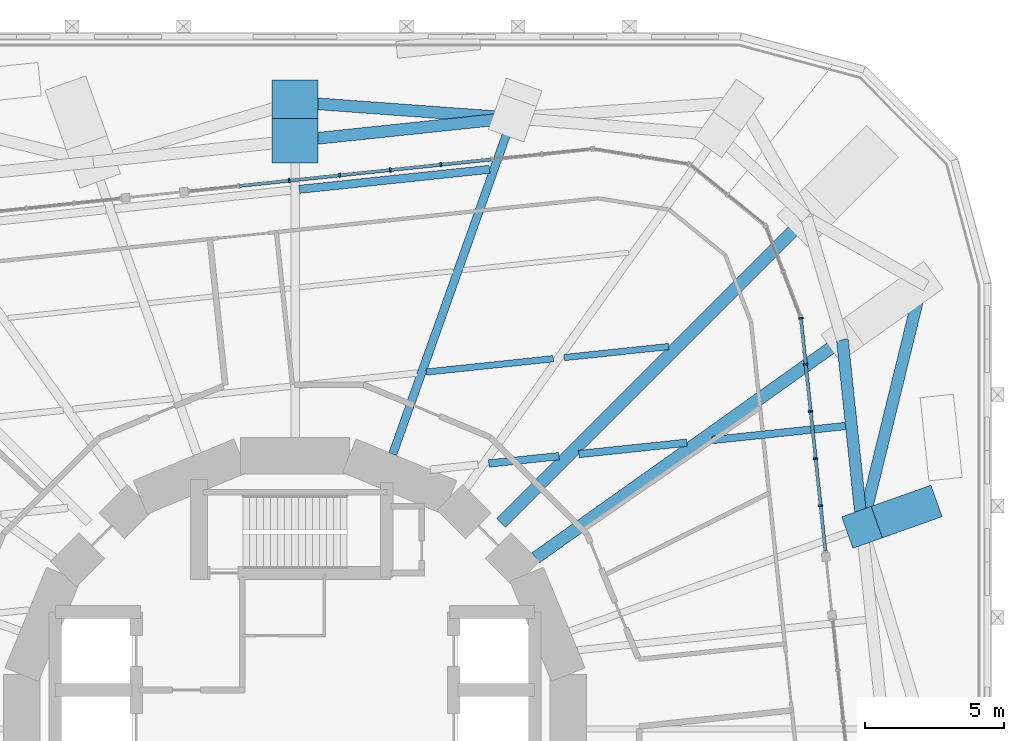
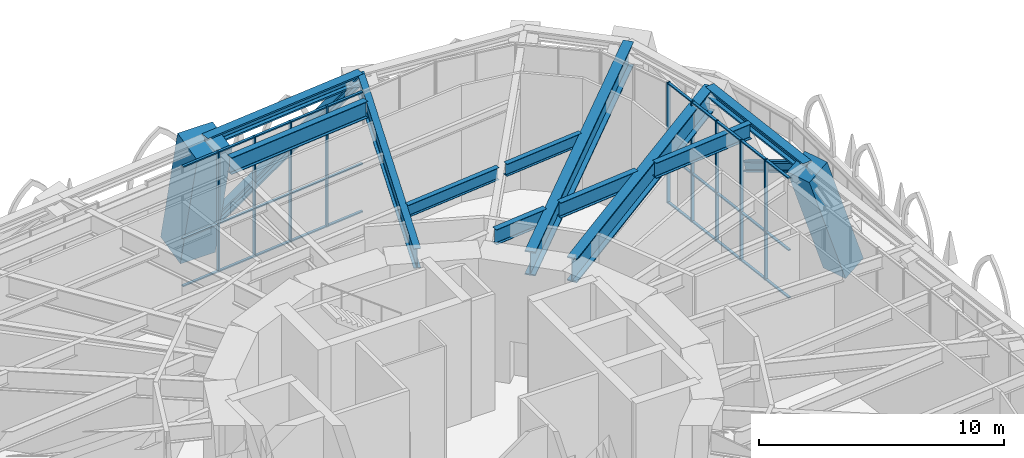
# One storey, part 10 of 20: 45 members, 9 beams, 2 elements without a shape of their own.
"""IFC4 building model written with IfcOpenShell, lengths in metres."""

from ifc_helpers import new_model, si_unit, direction, frame, origin, origin_2d, place, context, subcontext, project, spatial, rectangle, i_section, extrude, material, material_profile, profile_set, type_object, element, aggregate, save


model = new_model("IFC4")

# Units and contexts
model_context = context("Model", 3, precision=1e-05, world=origin(), true_north=direction((0.0, 1.0)))
body_context = subcontext(model_context, "Body", "Model", "MODEL_VIEW")
ifc_project = project(units=[si_unit("LENGTHUNIT", "METRE"), si_unit("AREAUNIT", "SQUARE_METRE"), si_unit("VOLUMEUNIT", "CUBIC_METRE"), si_unit("PLANEANGLEUNIT", "RADIAN"), si_unit("MASSUNIT", "GRAM", prefix="KILO")], contexts=[model_context])

# Site, building, storey
site_placement = place(None, origin())
site = spatial("IfcSite", under=ifc_project, at=site_placement, CompositionType="ELEMENT")
building_placement = place(site_placement, origin())
building = spatial("IfcBuilding", under=site, at=building_placement, Name="Nakasero Lantern House", CompositionType="ELEMENT")
storey_placement = place(building_placement, frame((0.0, 0.0, 54.5)))
storey = spatial("IfcBuildingStorey", under=building, at=storey_placement, Name="L13", CompositionType="ELEMENT", Elevation=54.5)

# Members
ifc_material_1 = material(Name="Steel S355", Category="steel")
ifc_material_profile_1 = material_profile(ifc_material_1, i_section(OverallWidth=0.424072265625, OverallDepth=0.474609375, WebThickness=0.047607421875, FlangeThickness=0.076904296875, FilletRadius=0.01513671875, at=origin_2d()), Name="UC 356x406x634")
ifc_profile_set_1 = profile_set([ifc_material_profile_1], Name="Steel S355")
member_type_1 = type_object("IfcMemberType", Name="Belt truss chord UC 356x406x634", PredefinedType="CHORD", material=ifc_profile_set_1)
member_1_placement = place(storey_placement, frame((20.35498046875, 7.2373046875, 5.562744140625), z_axis=(-0.10452524939, 0.994522233155, 0.0), x_axis=(-0.994522233155, -0.10452524939, 0.0)))
element("IfcMember", 1, at=member_1_placement, inside=storey, type_object=member_type_1, Name="Belt truss top chord T1 B2-C04T", PredefinedType="CHORD", context=body_context, shape_type="SweptSolid", body=[
    extrude(i_section(OverallWidth=0.424072265625, OverallDepth=0.474609375, WebThickness=0.047607421875, FlangeThickness=0.076904296875, FilletRadius=0.01513671875, at=origin_2d()), origin(), (0.0, 0.0, 1.0), 6.771240234375),
])
member_2_placement = place(storey_placement, frame((7.79931640625, 21.935302734375, 5.562744140625), z_axis=(-0.994524030789, -0.104508144098, 0.0), x_axis=(0.104508144098, -0.994524030789, 0.0)))
element("IfcMember", 2, at=member_2_placement, inside=storey, type_object=member_type_1, Name="Belt truss top chord T1 B2-C08T", PredefinedType="CHORD", context=body_context, shape_type="SweptSolid", body=[
    extrude(i_section(OverallWidth=0.424072265625, OverallDepth=0.474609375, WebThickness=0.047607421875, FlangeThickness=0.076904296875, FilletRadius=0.01513671875, at=origin_2d()), origin(), (0.0, 0.0, 1.0), 7.84228515625),
])
ifc_material_2 = material(Name="Steel S355", Category="steel")
ifc_material_profile_2 = material_profile(ifc_material_2, i_section(OverallWidth=0.424072265625, OverallDepth=0.474609375, WebThickness=0.047607421875, FlangeThickness=0.076904296875, FilletRadius=0.01513671875, at=origin_2d()), Name="UC 356x406x634")
ifc_profile_set_2 = profile_set([ifc_material_profile_2], Name="Steel S355")
member_type_2 = type_object("IfcMemberType", Name="Belt truss diagonal UC 356x406x634", PredefinedType="BRACE", material=ifc_profile_set_2)
member_3_placement = place(storey_placement, frame((20.35498046875, 7.2373046875, 5.562744140625), z_axis=(0.197980863346, 0.808778641842, -0.553787582244), x_axis=(-0.971321551042, 0.237769729952, 0.0)))
element("IfcMember", 3, at=member_3_placement, inside=storey, type_object=member_type_2, Name="Belt truss diagonal T1-04", PredefinedType="BRACE", context=body_context, shape_type="SweptSolid", body=[
    extrude(i_section(OverallWidth=0.424072265625, OverallDepth=0.474609375, WebThickness=0.047607421875, FlangeThickness=0.076904296875, FilletRadius=0.01513671875, at=origin_2d()), origin(), (0.0, 0.0, 1.0), 10.83447265625),
])
member_4_placement = place(storey_placement, frame((7.79931640625, 21.935302734375, 5.562744140625), z_axis=(-0.791296266905, 0.057292564495, -0.608742786435), x_axis=(-0.072214395008, -0.997389132262, 0.0)))
element("IfcMember", 4, at=member_4_placement, inside=storey, type_object=member_type_2, Name="Belt truss diagonal T1-08", PredefinedType="BRACE", context=body_context, shape_type="SweptSolid", body=[
    extrude(i_section(OverallWidth=0.424072265625, OverallDepth=0.474609375, WebThickness=0.047607421875, FlangeThickness=0.076904296875, FilletRadius=0.01513671875, at=origin_2d()), origin(), (0.0, 0.0, 1.0), 9.8564453125),
])

# Beams
ifc_material_3 = material(Name="Steel S355", Category="steel")
ifc_material_profile_3 = material_profile(ifc_material_3, i_section(OverallWidth=0.22900390625, OverallDepth=0.6123046875, WebThickness=0.011962890625, FlangeThickness=0.01953125, FilletRadius=0.0126953125, at=origin_2d()), Name="UB 610x229x125")
ifc_profile_set_3 = profile_set([ifc_material_profile_3], Name="Steel S355")
beam_type_1 = type_object("IfcBeamType", Name="Infill beam UB 610x229x125", PredefinedType="JOIST", material=ifc_profile_set_3)
beam_1_placement = place(storey_placement, frame((4.71484375, 12.81298828125, 5.493896484375), z_axis=(0.994522952874, 0.104518401282, 0.0), x_axis=(-0.104518401282, 0.994522952874, 0.0)))
element("IfcBeam", 5, at=beam_1_placement, inside=storey, type_object=beam_type_1, Name="Infill beam L14 11.7", PredefinedType="JOIST", context=body_context, shape_type="SweptSolid", body=[
    extrude(i_section(OverallWidth=0.22900390625, OverallDepth=0.6123046875, WebThickness=0.011962890625, FlangeThickness=0.01953125, FilletRadius=0.0126953125, at=origin_2d()), origin(), (0.0, 0.0, 1.0), 4.5830078125),
])
beam_2_placement = place(storey_placement, frame((9.66064453125, 13.332763671875, 5.493896484375), z_axis=(0.994518933326, 0.104556641375, 0.0), x_axis=(-0.104556641375, 0.994518933326, 0.0)))
element("IfcBeam", 6, at=beam_2_placement, inside=storey, type_object=beam_type_1, Name="Infill beam L14 11.8", PredefinedType="JOIST", context=body_context, shape_type="SweptSolid", body=[
    extrude(i_section(OverallWidth=0.22900390625, OverallDepth=0.6123046875, WebThickness=0.011962890625, FlangeThickness=0.01953125, FilletRadius=0.0126953125, at=origin_2d()), origin(), (0.0, 0.0, 1.0), 3.768798828125),
])
ifc_material_4 = material(Name="Steel S355", Category="steel")
ifc_material_profile_4 = material_profile(ifc_material_4, i_section(OverallWidth=0.2666015625, OverallDepth=0.76220703125, WebThickness=0.014404296875, FlangeThickness=0.021484375, FilletRadius=0.0166015625, at=origin_2d()), Name="UB 762x267x173")
ifc_profile_set_4 = profile_set([ifc_material_profile_4], Name="Steel S355")
beam_type_2 = type_object("IfcBeamType", Name="Infill beam UB 762x267x173", PredefinedType="JOIST", material=ifc_profile_set_4)
beam_3_placement = place(storey_placement, frame((6.955810546875, 9.529296875, 5.4189453125), z_axis=(0.994521805438, 0.10452931889, 0.0), x_axis=(-0.10452931889, 0.994521805438, 0.0)))
element("IfcBeam", 7, at=beam_3_placement, inside=storey, type_object=beam_type_2, Name="Infill beam L14 10.5", PredefinedType="JOIST", context=body_context, shape_type="SweptSolid", body=[
    extrude(i_section(OverallWidth=0.2666015625, OverallDepth=0.76220703125, WebThickness=0.014404296875, FlangeThickness=0.021484375, FilletRadius=0.0166015625, at=origin_2d()), origin(), (0.0, 0.0, 1.0), 2.5341796875),
])
beam_4_placement = place(storey_placement, frame((10.18701171875, 9.868896484375, 5.4189453125), z_axis=(0.994518832336, 0.104557601963, 0.0), x_axis=(-0.104557601963, 0.994518832336, 0.0)))
element("IfcBeam", 8, at=beam_4_placement, inside=storey, type_object=beam_type_2, Name="Infill beam L14 10.6", PredefinedType="JOIST", context=body_context, shape_type="SweptSolid", body=[
    extrude(i_section(OverallWidth=0.2666015625, OverallDepth=0.76220703125, WebThickness=0.014404296875, FlangeThickness=0.021484375, FilletRadius=0.0166015625, at=origin_2d()), origin(), (0.0, 0.0, 1.0), 3.89697265625),
])
beam_5_placement = place(storey_placement, frame((14.973876953125, 10.3720703125, 5.4189453125), z_axis=(0.994523230839, 0.104515756327, 0.0), x_axis=(-0.104515756327, 0.994523230839, 0.0)))
element("IfcBeam", 9, at=beam_5_placement, inside=storey, type_object=beam_type_2, Name="Infill beam L14 10.7", PredefinedType="JOIST", context=body_context, shape_type="SweptSolid", body=[
    extrude(i_section(OverallWidth=0.2666015625, OverallDepth=0.76220703125, WebThickness=0.014404296875, FlangeThickness=0.021484375, FilletRadius=0.0166015625, at=origin_2d()), origin(), (0.0, 0.0, 1.0), 4.81201171875),
])
ifc_material_5 = material(Name="Steel S355", Category="steel")
ifc_material_profile_5 = material_profile(ifc_material_5, i_section(OverallWidth=0.29248046875, OverallDepth=0.8408203125, WebThickness=0.0146484375, FlangeThickness=0.02685546875, FilletRadius=0.017822265625, at=origin_2d()), Name="UB 838x292x194")
ifc_profile_set_5 = profile_set([ifc_material_profile_5], Name="Steel S355")
beam_type_3 = type_object("IfcBeamType", Name="Infill beam UB 838x292x194", PredefinedType="JOIST", material=ifc_profile_set_5)
beam_6_placement = place(storey_placement, frame((0.152587890625, 19.3720703125, 5.379638671875), z_axis=(0.994521605712, 0.104531219127, 0.0), x_axis=(-0.104531219127, 0.994521605712, 0.0)))
element("IfcBeam", 10, at=beam_6_placement, inside=storey, type_object=beam_type_3, Name="Infill beam L14 13.5", PredefinedType="JOIST", context=body_context, shape_type="SweptSolid", body=[
    extrude(i_section(OverallWidth=0.29248046875, OverallDepth=0.8408203125, WebThickness=0.0146484375, FlangeThickness=0.02685546875, FilletRadius=0.017822265625, at=origin_2d()), origin(), (0.0, 0.0, 1.0), 6.868896484375),
])

# Curtain wall, members
ifc_material_6 = material(Name="Aluminium 6063-T6 and glass", Category="aluminium")
curtain_wall_type = type_object("IfcCurtainWallType", Name="Sky lounge glazing CW-3", PredefinedType="USERDEFINED", material=ifc_material_6)
curtain_wall_1_placement = place(storey_placement, origin())
curtain_wall_1 = element("IfcCurtainWall", 11, at=curtain_wall_1_placement, inside=storey, type_object=curtain_wall_type, Name="Curtain wall CW-3 L13", ObjectType="STICK CURTAIN WALL", PredefinedType="USERDEFINED")
ifc_material_7 = material(Name="Aluminium 6063-T6", Category="aluminium")
ifc_material_profile_6 = material_profile(ifc_material_7, rectangle(XDim=0.06005859375, YDim=0.159912109375, at=origin_2d()), Name="CW-3 mullion 60x160")
ifc_profile_set_6 = profile_set([ifc_material_profile_6], Name="Aluminium 6063-T6")
member_type_3 = type_object("IfcMemberType", Name="Mullion CW-3", PredefinedType="MULLION", material=ifc_profile_set_6)
member_5_placement = place(storey_placement, frame((18.864501953125, 8.015869140625, 0.0), z_axis=(0.0, 0.0, 1.0), x_axis=(-0.104528463268, 0.994521895368, 0.0)))
member_5 = element("IfcMember", 12, at=member_5_placement, type_object=member_type_3, Name="CW-3 mullion 2", PredefinedType="MULLION", context=body_context, shape_type="SweptSolid", body=[
    extrude(rectangle(XDim=0.06005859375, YDim=0.159912109375, at=origin_2d()), origin(), (0.0, 0.0, 1.0), 6.0),
])
member_6_placement = place(storey_placement, frame((18.686767578125, 9.70654296875, 0.0), z_axis=(0.0, 0.0, 1.0), x_axis=(-0.104528463268, 0.994521895368, 0.0)))
member_6 = element("IfcMember", 13, at=member_6_placement, type_object=member_type_3, Name="CW-3 mullion 3", PredefinedType="MULLION", context=body_context, shape_type="SweptSolid", body=[
    extrude(rectangle(XDim=0.06005859375, YDim=0.159912109375, at=origin_2d()), origin(), (0.0, 0.0, 1.0), 6.0),
])
member_7_placement = place(storey_placement, frame((18.509033203125, 11.397216796875, 0.0), z_axis=(0.0, 0.0, 1.0), x_axis=(-0.104528463268, 0.994521895368, 0.0)))
member_7 = element("IfcMember", 14, at=member_7_placement, type_object=member_type_3, Name="CW-3 mullion 4", PredefinedType="MULLION", context=body_context, shape_type="SweptSolid", body=[
    extrude(rectangle(XDim=0.06005859375, YDim=0.159912109375, at=origin_2d()), origin(), (0.0, 0.0, 1.0), 6.0),
])
member_8_placement = place(storey_placement, frame((18.331298828125, 13.087890625, 0.0), z_axis=(0.0, 0.0, 1.0), x_axis=(-0.104528463268, 0.994521895368, 0.0)))
member_8 = element("IfcMember", 15, at=member_8_placement, type_object=member_type_3, Name="CW-3 mullion 5", PredefinedType="MULLION", context=body_context, shape_type="SweptSolid", body=[
    extrude(rectangle(XDim=0.06005859375, YDim=0.159912109375, at=origin_2d()), origin(), (0.0, 0.0, 1.0), 6.0),
])
member_9_placement = place(storey_placement, frame((18.15673828125, 14.748779296875, 0.0), z_axis=(0.0, 0.0, 1.0), x_axis=(-0.104528463268, 0.994521895368, 0.0)))
member_9 = element("IfcMember", 16, at=member_9_placement, type_object=member_type_3, Name="CW-3 mullion 6", PredefinedType="MULLION", context=body_context, shape_type="SweptSolid", body=[
    extrude(rectangle(XDim=0.06005859375, YDim=0.159912109375, at=origin_2d()), origin(), (0.0, 0.0, 1.0), 6.0),
])

curtain_wall_2_placement = place(storey_placement, origin())
curtain_wall_2 = element("IfcCurtainWall", 17, at=curtain_wall_2_placement, inside=storey, type_object=curtain_wall_type, Name="Curtain wall CW-3 L13", ObjectType="STICK CURTAIN WALL", PredefinedType="USERDEFINED")
member_10_placement = place(storey_placement, frame((5.236328125, 20.25732421875, 0.0), z_axis=(0.0, 0.0, 1.0), x_axis=(-0.994521895368, -0.104528463268, 0.0)))
member_10 = element("IfcMember", 18, at=member_10_placement, type_object=member_type_3, Name="CW-3 mullion 4", PredefinedType="MULLION", context=body_context, shape_type="SweptSolid", body=[
    extrude(rectangle(XDim=0.06005859375, YDim=0.159912109375, at=origin_2d()), origin(), (0.0, 0.0, 1.0), 6.0),
])
member_11_placement = place(storey_placement, frame((3.421142578125, 20.066650390625, 0.0), z_axis=(0.0, 0.0, 1.0), x_axis=(-0.994521895368, -0.104528463268, 0.0)))
member_11 = element("IfcMember", 19, at=member_11_placement, type_object=member_type_3, Name="CW-3 mullion 5", PredefinedType="MULLION", context=body_context, shape_type="SweptSolid", body=[
    extrude(rectangle(XDim=0.06005859375, YDim=0.159912109375, at=origin_2d()), origin(), (0.0, 0.0, 1.0), 6.0),
])
member_12_placement = place(storey_placement, frame((1.606201171875, 19.875732421875, 0.0), z_axis=(0.0, 0.0, 1.0), x_axis=(-0.994521895368, -0.104528463268, 0.0)))
member_12 = element("IfcMember", 20, at=member_12_placement, type_object=member_type_3, Name="CW-3 mullion 6", PredefinedType="MULLION", context=body_context, shape_type="SweptSolid", body=[
    extrude(rectangle(XDim=0.06005859375, YDim=0.159912109375, at=origin_2d()), origin(), (0.0, 0.0, 1.0), 6.0),
])
member_13_placement = place(storey_placement, frame((-0.208740234375, 19.68505859375, 0.0), z_axis=(0.0, 0.0, 1.0), x_axis=(-0.994521895368, -0.104528463268, 0.0)))
member_13 = element("IfcMember", 21, at=member_13_placement, type_object=member_type_3, Name="CW-3 mullion 7", PredefinedType="MULLION", context=body_context, shape_type="SweptSolid", body=[
    extrude(rectangle(XDim=0.06005859375, YDim=0.159912109375, at=origin_2d()), origin(), (0.0, 0.0, 1.0), 6.0),
])

# Beams
ifc_material_8 = material(Name="Steel S355", Category="steel")
ifc_material_profile_7 = material_profile(ifc_material_8, i_section(OverallWidth=0.449951171875, OverallDepth=1.199951171875, WebThickness=0.02490234375, FlangeThickness=0.06005859375, at=origin_2d()), Name="PG 1200x450x636")
ifc_profile_set_7 = profile_set([ifc_material_profile_7], Name="Steel S355")
beam_type_4 = type_object("IfcBeamType", Name="Primary beam PG 1200x450x636, span 12 to 15 m", PredefinedType="BEAM", material=ifc_profile_set_7)
beam_7_placement = place(storey_placement, frame((19.647216796875, 13.971435546875, 5.199951171875), z_axis=(-0.814948492976, -0.579533393168, 0.0), x_axis=(0.579533393168, -0.814948492976, 0.0)))
element("IfcBeam", 22, at=beam_7_placement, inside=storey, type_object=beam_type_4, Name="Primary beam L14 B2-C05T", PredefinedType="BEAM", context=body_context, shape_type="SweptSolid", body=[
    extrude(i_section(OverallWidth=0.449951171875, OverallDepth=1.199951171875, WebThickness=0.02490234375, FlangeThickness=0.06005859375, at=origin_2d()), origin(), (0.0, 0.0, 1.0), 13.502685546875),
])
ifc_material_9 = material(Name="Steel S355", Category="steel")
ifc_material_profile_8 = material_profile(ifc_material_9, i_section(OverallWidth=0.449951171875, OverallDepth=1.199951171875, WebThickness=0.02490234375, FlangeThickness=0.06005859375, at=origin_2d()), Name="PG 1200x450x636")
ifc_profile_set_8 = profile_set([ifc_material_profile_8], Name="Steel S355")
beam_type_5 = type_object("IfcBeamType", Name="Primary beam PG 1200x450x636, span over 15 m", PredefinedType="BEAM", material=ifc_profile_set_8)
beam_8_placement = place(storey_placement, frame((18.359375, 18.359375, 5.199951171875), z_axis=(-0.707106781187, -0.707106781187, 0.0), x_axis=(0.707106781187, -0.707106781187, 0.0)))
element("IfcBeam", 23, at=beam_8_placement, inside=storey, type_object=beam_type_5, Name="Primary beam L14 B2-C06T", PredefinedType="BEAM", context=body_context, shape_type="SweptSolid", body=[
    extrude(i_section(OverallWidth=0.449951171875, OverallDepth=1.199951171875, WebThickness=0.02490234375, FlangeThickness=0.06005859375, at=origin_2d()), origin(), (0.0, 0.0, 1.0), 15.50634765625),
])
ifc_material_10 = material(Name="Steel S355", Category="steel")
ifc_material_profile_9 = material_profile(ifc_material_10, i_section(OverallWidth=0.300048828125, OverallDepth=0.97998046875, WebThickness=0.0166015625, FlangeThickness=0.02587890625, FilletRadius=0.030029296875, at=origin_2d()), Name="UB 1016x305x249")
ifc_profile_set_9 = profile_set([ifc_material_profile_9], Name="Steel S355")
beam_type_6 = type_object("IfcBeamType", Name="Primary beam UB 1016x305x249, span 12 to 15 m", PredefinedType="BEAM", material=ifc_profile_set_9)
beam_9_placement = place(storey_placement, frame((7.79931640625, 21.935302734375, 5.31005859375), z_axis=(-0.335017564047, -0.942211882636, 0.0), x_axis=(0.942211882636, -0.335017564047, 0.0)))
element("IfcBeam", 24, at=beam_9_placement, inside=storey, type_object=beam_type_6, Name="Primary beam L14 B2-C08T", PredefinedType="BEAM", context=body_context, shape_type="SweptSolid", body=[
    extrude(i_section(OverallWidth=0.300048828125, OverallDepth=0.97998046875, WebThickness=0.0166015625, FlangeThickness=0.02587890625, FilletRadius=0.030029296875, at=origin_2d()), origin(), (0.0, 0.0, 1.0), 12.80908203125),
])

# Members
ifc_material_11 = material(Name="Concrete C50/60", Category="concrete")
ifc_material_profile_10 = material_profile(ifc_material_11, rectangle(XDim=1.199951171875, YDim=1.199951171875, at=origin_2d()), Name="RC 1200x1200")
ifc_profile_set_10 = profile_set([ifc_material_profile_10], Name="Concrete C50/60")
member_type_4 = type_object("IfcMemberType", Name="Raking column RC 1200x1200 C50/60", PredefinedType="STRUT", material=ifc_profile_set_10)
member_14_placement = place(storey_placement, frame((22.5, 8.0, -0.437255859375), z_axis=(-0.334251409573, -0.118848327283, 0.934960464565), x_axis=(0.335018130255, -0.942211681312, 0.0)))
element("IfcMember", 25, at=member_14_placement, inside=storey, type_object=member_type_4, Name="Raking column B2-C04T L13", PredefinedType="STRUT", context=body_context, shape_type="SweptSolid", body=[
    extrude(rectangle(XDim=1.199951171875, YDim=1.199951171875, at=origin_2d()), origin(), (0.0, 0.0, 1.0), 6.41748046875),
])
ifc_material_12 = material(Name="Concrete C50/60", Category="concrete")
ifc_material_profile_11 = material_profile(ifc_material_12, rectangle(XDim=1.64990234375, YDim=1.64990234375, at=origin_2d()), Name="RC 1650x1650")
ifc_profile_set_11 = profile_set([ifc_material_profile_11], Name="Concrete C50/60")
member_type_5 = type_object("IfcMemberType", Name="Raking column RC 1650x1650 C50/60", PredefinedType="STRUT", material=ifc_profile_set_11)
member_15_placement = place(storey_placement, frame((0.0, 22.5, -0.437255859375), z_axis=(0.0, -0.224807384101, 0.974403222518), x_axis=(1.0, 0.0, 0.0)))
element("IfcMember", 26, at=member_15_placement, inside=storey, type_object=member_type_5, Name="Raking column B2-C09T L13", PredefinedType="STRUT", context=body_context, shape_type="SweptSolid", body=[
    extrude(rectangle(XDim=1.64990234375, YDim=1.64990234375, at=origin_2d()), origin(), (0.0, 0.0, 1.0), 6.15771484375),
])

# Member
ifc_material_13 = material(Name="Aluminium 6063-T6", Category="aluminium")
ifc_material_profile_12 = material_profile(ifc_material_13, rectangle(XDim=0.06005859375, YDim=0.1201171875, at=origin_2d()), Name="CW-3 transom 60x120")
ifc_profile_set_12 = profile_set([ifc_material_profile_12], Name="Aluminium 6063-T6")
member_type_6 = type_object("IfcMemberType", Name="Transom CW-3", PredefinedType="USERDEFINED", material=ifc_profile_set_12)
member_16_placement = place(storey_placement, frame((19.035888671875, 6.384765625, 0.030029296875), z_axis=(-0.104487428624, 0.994526207427, 0.0), x_axis=(0.0, 0.0, 1.0)))
member_16 = element("IfcMember", 27, at=member_16_placement, type_object=member_type_6, Name="CW-3 transom 1.1", ObjectType="TRANSOM", PredefinedType="USERDEFINED", context=body_context, shape_type="SweptSolid", body=[
    extrude(rectangle(XDim=0.06005859375, YDim=0.1201171875, at=origin_2d()), origin(), (0.0, 0.0, 1.0), 1.60986328125),
])

member_17_placement = place(storey_placement, frame((19.035888671875, 6.384765625, 2.39990234375), z_axis=(-0.104487428624, 0.994526207427, 0.0), x_axis=(0.0, 0.0, 1.0)))
member_17 = element("IfcMember", 28, at=member_17_placement, type_object=member_type_6, Name="CW-3 transom 1.2", ObjectType="TRANSOM", PredefinedType="USERDEFINED", context=body_context, shape_type="SweptSolid", body=[
    extrude(rectangle(XDim=0.06005859375, YDim=0.1201171875, at=origin_2d()), origin(), (0.0, 0.0, 1.0), 1.60986328125),
])

member_18_placement = place(storey_placement, frame((19.035888671875, 6.384765625, 5.969970703125), z_axis=(-0.104487428624, 0.994526207427, 0.0), x_axis=(0.0, 0.0, 1.0)))
member_18 = element("IfcMember", 29, at=member_18_placement, type_object=member_type_6, Name="CW-3 transom 1.3", ObjectType="TRANSOM", PredefinedType="USERDEFINED", context=body_context, shape_type="SweptSolid", body=[
    extrude(rectangle(XDim=0.06005859375, YDim=0.1201171875, at=origin_2d()), origin(), (0.0, 0.0, 1.0), 1.60986328125),
])

member_19_placement = place(storey_placement, frame((18.861328125, 8.045654296875, 0.030029296875), z_axis=(-0.104498811264, 0.994525011473, 0.0), x_axis=(0.0, 0.0, 1.0)))
member_19 = element("IfcMember", 30, at=member_19_placement, type_object=member_type_6, Name="CW-3 transom 2.1", ObjectType="TRANSOM", PredefinedType="USERDEFINED", context=body_context, shape_type="SweptSolid", body=[
    extrude(rectangle(XDim=0.06005859375, YDim=0.1201171875, at=origin_2d()), origin(), (0.0, 0.0, 1.0), 1.64013671875),
])

member_20_placement = place(storey_placement, frame((18.861328125, 8.045654296875, 2.39990234375), z_axis=(-0.104498811264, 0.994525011473, 0.0), x_axis=(0.0, 0.0, 1.0)))
member_20 = element("IfcMember", 31, at=member_20_placement, type_object=member_type_6, Name="CW-3 transom 2.2", ObjectType="TRANSOM", PredefinedType="USERDEFINED", context=body_context, shape_type="SweptSolid", body=[
    extrude(rectangle(XDim=0.06005859375, YDim=0.1201171875, at=origin_2d()), origin(), (0.0, 0.0, 1.0), 1.64013671875),
])

member_21_placement = place(storey_placement, frame((18.861328125, 8.045654296875, 5.969970703125), z_axis=(-0.104498811264, 0.994525011473, 0.0), x_axis=(0.0, 0.0, 1.0)))
member_21 = element("IfcMember", 32, at=member_21_placement, type_object=member_type_6, Name="CW-3 transom 2.3", ObjectType="TRANSOM", PredefinedType="USERDEFINED", context=body_context, shape_type="SweptSolid", body=[
    extrude(rectangle(XDim=0.06005859375, YDim=0.1201171875, at=origin_2d()), origin(), (0.0, 0.0, 1.0), 1.64013671875),
])

member_22_placement = place(storey_placement, frame((18.68359375, 9.736328125, 0.030029296875), z_axis=(-0.104498811264, 0.994525011473, 0.0), x_axis=(0.0, 0.0, 1.0)))
member_22 = element("IfcMember", 33, at=member_22_placement, type_object=member_type_6, Name="CW-3 transom 3.1", ObjectType="TRANSOM", PredefinedType="USERDEFINED", context=body_context, shape_type="SweptSolid", body=[
    extrude(rectangle(XDim=0.06005859375, YDim=0.1201171875, at=origin_2d()), origin(), (0.0, 0.0, 1.0), 1.64013671875),
])

member_23_placement = place(storey_placement, frame((18.68359375, 9.736328125, 2.39990234375), z_axis=(-0.104498811264, 0.994525011473, 0.0), x_axis=(0.0, 0.0, 1.0)))
member_23 = element("IfcMember", 34, at=member_23_placement, type_object=member_type_6, Name="CW-3 transom 3.2", ObjectType="TRANSOM", PredefinedType="USERDEFINED", context=body_context, shape_type="SweptSolid", body=[
    extrude(rectangle(XDim=0.06005859375, YDim=0.1201171875, at=origin_2d()), origin(), (0.0, 0.0, 1.0), 1.64013671875),
])

member_24_placement = place(storey_placement, frame((18.68359375, 9.736328125, 5.969970703125), z_axis=(-0.104498811264, 0.994525011473, 0.0), x_axis=(0.0, 0.0, 1.0)))
member_24 = element("IfcMember", 35, at=member_24_placement, type_object=member_type_6, Name="CW-3 transom 3.3", ObjectType="TRANSOM", PredefinedType="USERDEFINED", context=body_context, shape_type="SweptSolid", body=[
    extrude(rectangle(XDim=0.06005859375, YDim=0.1201171875, at=origin_2d()), origin(), (0.0, 0.0, 1.0), 1.64013671875),
])

member_25_placement = place(storey_placement, frame((18.505859375, 11.427001953125, 0.030029296875), z_axis=(-0.104498811264, 0.994525011473, 0.0), x_axis=(0.0, 0.0, 1.0)))
member_25 = element("IfcMember", 36, at=member_25_placement, type_object=member_type_6, Name="CW-3 transom 4.1", ObjectType="TRANSOM", PredefinedType="USERDEFINED", context=body_context, shape_type="SweptSolid", body=[
    extrude(rectangle(XDim=0.06005859375, YDim=0.1201171875, at=origin_2d()), origin(), (0.0, 0.0, 1.0), 1.64013671875),
])

member_26_placement = place(storey_placement, frame((18.505859375, 11.427001953125, 2.39990234375), z_axis=(-0.104498811264, 0.994525011473, 0.0), x_axis=(0.0, 0.0, 1.0)))
member_26 = element("IfcMember", 37, at=member_26_placement, type_object=member_type_6, Name="CW-3 transom 4.2", ObjectType="TRANSOM", PredefinedType="USERDEFINED", context=body_context, shape_type="SweptSolid", body=[
    extrude(rectangle(XDim=0.06005859375, YDim=0.1201171875, at=origin_2d()), origin(), (0.0, 0.0, 1.0), 1.64013671875),
])

member_27_placement = place(storey_placement, frame((18.505859375, 11.427001953125, 5.969970703125), z_axis=(-0.104498811264, 0.994525011473, 0.0), x_axis=(0.0, 0.0, 1.0)))
member_27 = element("IfcMember", 38, at=member_27_placement, type_object=member_type_6, Name="CW-3 transom 4.3", ObjectType="TRANSOM", PredefinedType="USERDEFINED", context=body_context, shape_type="SweptSolid", body=[
    extrude(rectangle(XDim=0.06005859375, YDim=0.1201171875, at=origin_2d()), origin(), (0.0, 0.0, 1.0), 1.64013671875),
])

member_28_placement = place(storey_placement, frame((18.328125, 13.11767578125, 0.030029296875), z_axis=(-0.104487428624, 0.994526207427, 0.0), x_axis=(0.0, 0.0, 1.0)))
member_28 = element("IfcMember", 39, at=member_28_placement, type_object=member_type_6, Name="CW-3 transom 5.1", ObjectType="TRANSOM", PredefinedType="USERDEFINED", context=body_context, shape_type="SweptSolid", body=[
    extrude(rectangle(XDim=0.06005859375, YDim=0.1201171875, at=origin_2d()), origin(), (0.0, 0.0, 1.0), 1.60986328125),
])

member_29_placement = place(storey_placement, frame((18.328125, 13.11767578125, 2.39990234375), z_axis=(-0.104487428624, 0.994526207427, 0.0), x_axis=(0.0, 0.0, 1.0)))
member_29 = element("IfcMember", 40, at=member_29_placement, type_object=member_type_6, Name="CW-3 transom 5.2", ObjectType="TRANSOM", PredefinedType="USERDEFINED", context=body_context, shape_type="SweptSolid", body=[
    extrude(rectangle(XDim=0.06005859375, YDim=0.1201171875, at=origin_2d()), origin(), (0.0, 0.0, 1.0), 1.60986328125),
])

member_30_placement = place(storey_placement, frame((18.328125, 13.11767578125, 5.969970703125), z_axis=(-0.104487428624, 0.994526207427, 0.0), x_axis=(0.0, 0.0, 1.0)))
member_30 = element("IfcMember", 41, at=member_30_placement, type_object=member_type_6, Name="CW-3 transom 5.3", ObjectType="TRANSOM", PredefinedType="USERDEFINED", context=body_context, shape_type="SweptSolid", body=[
    extrude(rectangle(XDim=0.06005859375, YDim=0.1201171875, at=origin_2d()), origin(), (0.0, 0.0, 1.0), 1.60986328125),
])

aggregate(curtain_wall_1, [member_5, member_6, member_7, member_8, member_9, member_16, member_17, member_18, member_19, member_20, member_21, member_22, member_23, member_24, member_25, member_26, member_27, member_28, member_29, member_30])

member_31_placement = place(storey_placement, frame((7.021484375, 20.44482421875, 0.030029296875), z_axis=(-0.994531948412, -0.104432770661, 0.0), x_axis=(0.0, 0.0, 1.0)))
member_31 = element("IfcMember", 42, at=member_31_placement, type_object=member_type_6, Name="CW-3 transom 3.1", ObjectType="TRANSOM", PredefinedType="USERDEFINED", context=body_context, shape_type="SweptSolid", body=[
    extrude(rectangle(XDim=0.06005859375, YDim=0.1201171875, at=origin_2d()), origin(), (0.0, 0.0, 1.0), 1.76513671875),
])

member_32_placement = place(storey_placement, frame((7.021484375, 20.44482421875, 2.39990234375), z_axis=(-0.994531948412, -0.104432770661, 0.0), x_axis=(0.0, 0.0, 1.0)))
member_32 = element("IfcMember", 43, at=member_32_placement, type_object=member_type_6, Name="CW-3 transom 3.2", ObjectType="TRANSOM", PredefinedType="USERDEFINED", context=body_context, shape_type="SweptSolid", body=[
    extrude(rectangle(XDim=0.06005859375, YDim=0.1201171875, at=origin_2d()), origin(), (0.0, 0.0, 1.0), 1.76513671875),
])

member_33_placement = place(storey_placement, frame((7.021484375, 20.44482421875, 5.969970703125), z_axis=(-0.994531948412, -0.104432770661, 0.0), x_axis=(0.0, 0.0, 1.0)))
member_33 = element("IfcMember", 44, at=member_33_placement, type_object=member_type_6, Name="CW-3 transom 3.3", ObjectType="TRANSOM", PredefinedType="USERDEFINED", context=body_context, shape_type="SweptSolid", body=[
    extrude(rectangle(XDim=0.06005859375, YDim=0.1201171875, at=origin_2d()), origin(), (0.0, 0.0, 1.0), 1.76513671875),
])

member_34_placement = place(storey_placement, frame((5.206298828125, 20.254150390625, 0.030029296875), z_axis=(-0.994516060086, -0.10458396737, 0.0), x_axis=(0.0, 0.0, 1.0)))
member_34 = element("IfcMember", 45, at=member_34_placement, type_object=member_type_6, Name="CW-3 transom 4.1", ObjectType="TRANSOM", PredefinedType="USERDEFINED", context=body_context, shape_type="SweptSolid", body=[
    extrude(rectangle(XDim=0.06005859375, YDim=0.1201171875, at=origin_2d()), origin(), (0.0, 0.0, 1.0), 1.764892578125),
])

member_35_placement = place(storey_placement, frame((5.206298828125, 20.254150390625, 2.39990234375), z_axis=(-0.994516060086, -0.10458396737, 0.0), x_axis=(0.0, 0.0, 1.0)))
member_35 = element("IfcMember", 46, at=member_35_placement, type_object=member_type_6, Name="CW-3 transom 4.2", ObjectType="TRANSOM", PredefinedType="USERDEFINED", context=body_context, shape_type="SweptSolid", body=[
    extrude(rectangle(XDim=0.06005859375, YDim=0.1201171875, at=origin_2d()), origin(), (0.0, 0.0, 1.0), 1.764892578125),
])

member_36_placement = place(storey_placement, frame((5.206298828125, 20.254150390625, 5.969970703125), z_axis=(-0.994516060086, -0.10458396737, 0.0), x_axis=(0.0, 0.0, 1.0)))
member_36 = element("IfcMember", 47, at=member_36_placement, type_object=member_type_6, Name="CW-3 transom 4.3", ObjectType="TRANSOM", PredefinedType="USERDEFINED", context=body_context, shape_type="SweptSolid", body=[
    extrude(rectangle(XDim=0.06005859375, YDim=0.1201171875, at=origin_2d()), origin(), (0.0, 0.0, 1.0), 1.764892578125),
])

member_37_placement = place(storey_placement, frame((3.391357421875, 20.0634765625, 0.030029296875), z_axis=(-0.994517572894, -0.104569580683, 0.0), x_axis=(0.0, 0.0, 1.0)))
member_37 = element("IfcMember", 48, at=member_37_placement, type_object=member_type_6, Name="CW-3 transom 5.1", ObjectType="TRANSOM", PredefinedType="USERDEFINED", context=body_context, shape_type="SweptSolid", body=[
    extrude(rectangle(XDim=0.06005859375, YDim=0.1201171875, at=origin_2d()), origin(), (0.0, 0.0, 1.0), 1.76513671875),
])

member_38_placement = place(storey_placement, frame((3.391357421875, 20.0634765625, 2.39990234375), z_axis=(-0.994517572894, -0.104569580683, 0.0), x_axis=(0.0, 0.0, 1.0)))
member_38 = element("IfcMember", 49, at=member_38_placement, type_object=member_type_6, Name="CW-3 transom 5.2", ObjectType="TRANSOM", PredefinedType="USERDEFINED", context=body_context, shape_type="SweptSolid", body=[
    extrude(rectangle(XDim=0.06005859375, YDim=0.1201171875, at=origin_2d()), origin(), (0.0, 0.0, 1.0), 1.76513671875),
])

member_39_placement = place(storey_placement, frame((3.391357421875, 20.0634765625, 5.969970703125), z_axis=(-0.994517572894, -0.104569580683, 0.0), x_axis=(0.0, 0.0, 1.0)))
member_39 = element("IfcMember", 50, at=member_39_placement, type_object=member_type_6, Name="CW-3 transom 5.3", ObjectType="TRANSOM", PredefinedType="USERDEFINED", context=body_context, shape_type="SweptSolid", body=[
    extrude(rectangle(XDim=0.06005859375, YDim=0.1201171875, at=origin_2d()), origin(), (0.0, 0.0, 1.0), 1.76513671875),
])

member_40_placement = place(storey_placement, frame((1.576416015625, 19.87255859375, 0.030029296875), z_axis=(-0.994531948412, -0.104432770661, 0.0), x_axis=(0.0, 0.0, 1.0)))
member_40 = element("IfcMember", 51, at=member_40_placement, type_object=member_type_6, Name="CW-3 transom 6.1", ObjectType="TRANSOM", PredefinedType="USERDEFINED", context=body_context, shape_type="SweptSolid", body=[
    extrude(rectangle(XDim=0.06005859375, YDim=0.1201171875, at=origin_2d()), origin(), (0.0, 0.0, 1.0), 1.76513671875),
])

member_41_placement = place(storey_placement, frame((1.576416015625, 19.87255859375, 2.39990234375), z_axis=(-0.994531948412, -0.104432770661, 0.0), x_axis=(0.0, 0.0, 1.0)))
member_41 = element("IfcMember", 52, at=member_41_placement, type_object=member_type_6, Name="CW-3 transom 6.2", ObjectType="TRANSOM", PredefinedType="USERDEFINED", context=body_context, shape_type="SweptSolid", body=[
    extrude(rectangle(XDim=0.06005859375, YDim=0.1201171875, at=origin_2d()), origin(), (0.0, 0.0, 1.0), 1.76513671875),
])

member_42_placement = place(storey_placement, frame((1.576416015625, 19.87255859375, 5.969970703125), z_axis=(-0.994531948412, -0.104432770661, 0.0), x_axis=(0.0, 0.0, 1.0)))
member_42 = element("IfcMember", 53, at=member_42_placement, type_object=member_type_6, Name="CW-3 transom 6.3", ObjectType="TRANSOM", PredefinedType="USERDEFINED", context=body_context, shape_type="SweptSolid", body=[
    extrude(rectangle(XDim=0.06005859375, YDim=0.1201171875, at=origin_2d()), origin(), (0.0, 0.0, 1.0), 1.76513671875),
])

member_43_placement = place(storey_placement, frame((-0.238525390625, 19.681884765625, 0.030029296875), z_axis=(-0.994517572894, -0.104569580683, 0.0), x_axis=(0.0, 0.0, 1.0)))
member_43 = element("IfcMember", 54, at=member_43_placement, type_object=member_type_6, Name="CW-3 transom 7.1", ObjectType="TRANSOM", PredefinedType="USERDEFINED", context=body_context, shape_type="SweptSolid", body=[
    extrude(rectangle(XDim=0.06005859375, YDim=0.1201171875, at=origin_2d()), origin(), (0.0, 0.0, 1.0), 1.76513671875),
])

member_44_placement = place(storey_placement, frame((-0.238525390625, 19.681884765625, 2.39990234375), z_axis=(-0.994517572894, -0.104569580683, 0.0), x_axis=(0.0, 0.0, 1.0)))
member_44 = element("IfcMember", 55, at=member_44_placement, type_object=member_type_6, Name="CW-3 transom 7.2", ObjectType="TRANSOM", PredefinedType="USERDEFINED", context=body_context, shape_type="SweptSolid", body=[
    extrude(rectangle(XDim=0.06005859375, YDim=0.1201171875, at=origin_2d()), origin(), (0.0, 0.0, 1.0), 1.76513671875),
])

member_45_placement = place(storey_placement, frame((-0.238525390625, 19.681884765625, 5.969970703125), z_axis=(-0.994517572894, -0.104569580683, 0.0), x_axis=(0.0, 0.0, 1.0)))
member_45 = element("IfcMember", 56, at=member_45_placement, type_object=member_type_6, Name="CW-3 transom 7.3", ObjectType="TRANSOM", PredefinedType="USERDEFINED", context=body_context, shape_type="SweptSolid", body=[
    extrude(rectangle(XDim=0.06005859375, YDim=0.1201171875, at=origin_2d()), origin(), (0.0, 0.0, 1.0), 1.76513671875),
])

aggregate(curtain_wall_2, [member_10, member_11, member_12, member_13, member_31, member_32, member_33, member_34, member_35, member_36, member_37, member_38, member_39, member_40, member_41, member_42, member_43, member_44, member_45])

save(model, "model.ifc")
